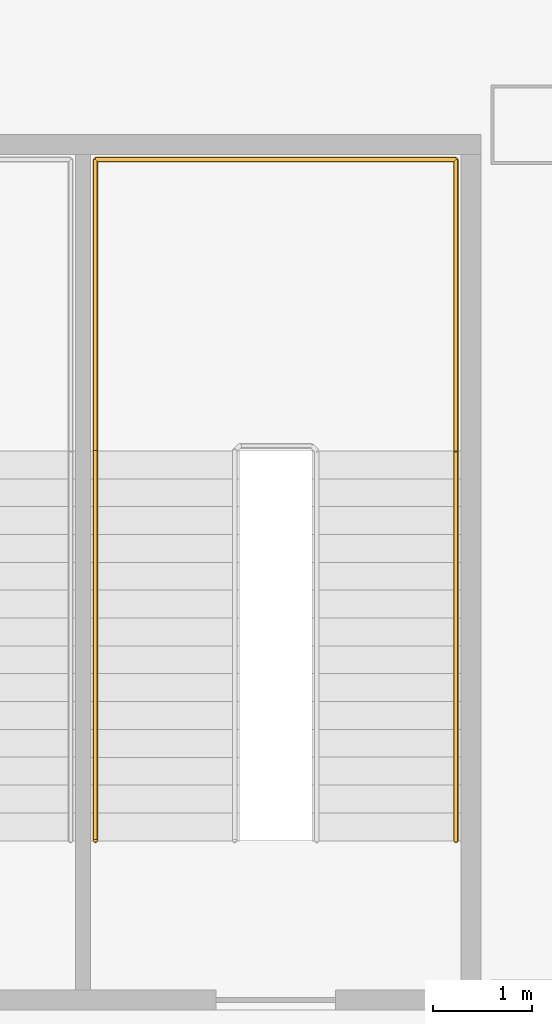
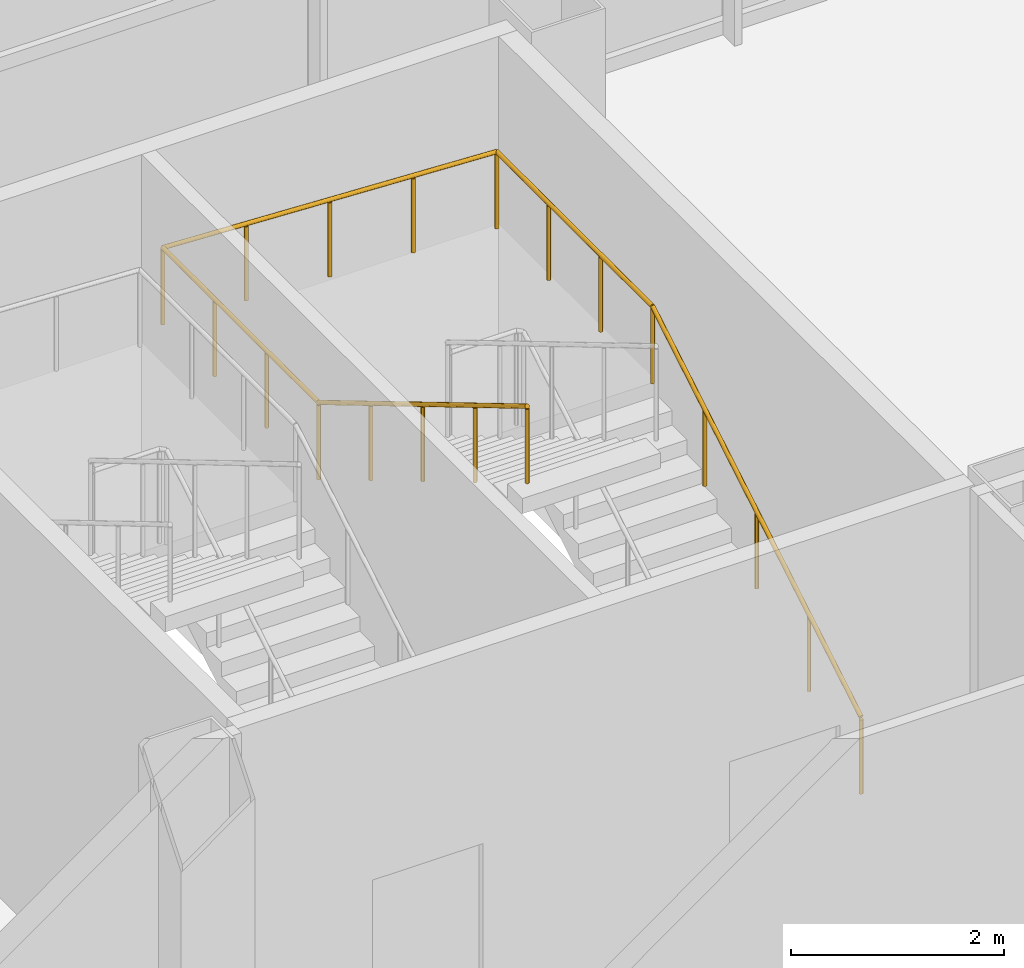
# One storey, part 30 of 30: 1 railing.
"""IFC4 building model written with IfcOpenShell, lengths in metres."""

from ifc_helpers import new_model, si_unit, direction, frame, origin, origin_2d, place, context, subcontext, project, spatial, circle, extrude, material, type_object, element, save


model = new_model("IFC4")

# Units and contexts
model_context = context("Model", 3, precision=1e-05, world=origin(), true_north=direction((0.0, 1.0)))
body_context = subcontext(model_context, "Body", "Model", "MODEL_VIEW")
ifc_project = project(units=[si_unit("LENGTHUNIT", "METRE"), si_unit("AREAUNIT", "SQUARE_METRE"), si_unit("VOLUMEUNIT", "CUBIC_METRE"), si_unit("PLANEANGLEUNIT", "RADIAN"), si_unit("MASSUNIT", "GRAM", prefix="KILO")], contexts=[model_context])

# Site, building, storey
site_placement = place(None, origin())
site = spatial("IfcSite", under=ifc_project, at=site_placement, CompositionType="ELEMENT")
building_placement = place(site_placement, origin())
building = spatial("IfcBuilding", under=site, at=building_placement, Name="Shamsa Quay Exchange Towers", CompositionType="ELEMENT")
storey_placement = place(building_placement, frame((0.0, 0.0, 23.5)))
storey = spatial("IfcBuildingStorey", under=building, at=storey_placement, Name="L04", CompositionType="ELEMENT", Elevation=23.5)

# Railing
ifc_material = material(Name="Stainless steel", Category="steel")
railing_type = type_object("IfcRailingType", Name="STAIR HANDRAIL 900", PredefinedType="HANDRAIL", material=ifc_material)
railing_placement = place(storey_placement, frame((53.25, 17.550048828125, 0.166748046875)))
element("IfcRailing", 1, at=railing_placement, inside=storey, type_object=railing_type, Name="L04 PS4B stair handrail 1", PredefinedType="HANDRAIL", context=body_context, shape_type="SweptSolid", body=[
    extrude(circle(Radius=0.02392578125, at=origin_2d()), frame((0.0, 0.0, 0.8759765625), z_axis=(0.0, 0.859296244711, 0.511478214419), x_axis=(-1.0, 0.0, 0.0)), (0.0, 0.0, 1.0), 4.561767578125),
    extrude(circle(Radius=0.02392578125, at=origin_2d()), frame((0.0, 3.919921875, 3.208984375), z_axis=(0.0, 1.0, 0.0), x_axis=(-1.0, 0.0, 0.0)), (0.0, 0.0, 1.0), 2.929931640625),
    extrude(circle(Radius=0.02392578125, at=origin_2d()), frame((0.0, 6.849853515625, 3.208984375), z_axis=(-0.998943700797, 0.0, 0.045950872013), x_axis=(0.0, -1.0, 0.0)), (0.0, 0.0, 1.0), 3.62890625),
    extrude(circle(Radius=0.02392578125, at=origin_2d()), frame((-3.625, 6.849853515625, 3.3759765625), z_axis=(0.0, -1.0, 0.0), x_axis=(1.0, 0.0, 0.0)), (0.0, 0.0, 1.0), 2.929931640625),
    extrude(circle(Radius=0.02392578125, at=origin_2d()), frame((-3.625, 3.919921875, 3.3759765625), z_axis=(0.0, -0.859296244711, 0.511478214419), x_axis=(1.0, 0.0, 0.0)), (0.0, 0.0, 1.0), 4.561767578125),
    extrude(circle(Radius=0.02099609375, at=origin_2d()), origin(), (0.0, 0.0, 1.0), 0.851806640625),
    extrude(circle(Radius=0.02099609375, at=origin_2d()), frame((0.0, 0.97998046875, 0.583251953125)), (0.0, 0.0, 1.0), 0.851806640625),
    extrude(circle(Radius=0.02099609375, at=origin_2d()), frame((0.0, 1.9599609375, 1.16650390625)), (0.0, 0.0, 1.0), 0.851806640625),
    extrude(circle(Radius=0.02099609375, at=origin_2d()), frame((0.0, 2.93994140625, 1.75)), (0.0, 0.0, 1.0), 0.851806640625),
    extrude(circle(Radius=0.02099609375, at=origin_2d()), frame((0.0, 3.919921875, 2.333251953125)), (0.0, 0.0, 1.0), 0.851806640625),
    extrude(circle(Radius=0.02099609375, at=origin_2d()), frame((0.0, 4.896484375, 2.333251953125)), (0.0, 0.0, 1.0), 0.851806640625),
    extrude(circle(Radius=0.02099609375, at=origin_2d()), frame((0.0, 5.873291015625, 2.333251953125)), (0.0, 0.0, 1.0), 0.851806640625),
    extrude(circle(Radius=0.02099609375, at=origin_2d()), frame((0.0, 6.849853515625, 2.333251953125)), (0.0, 0.0, 1.0), 0.851806640625),
    extrude(circle(Radius=0.02099609375, at=origin_2d()), frame((-0.90625, 6.849853515625, 2.375)), (0.0, 0.0, 1.0), 0.851806640625),
    extrude(circle(Radius=0.02099609375, at=origin_2d()), frame((-1.8125, 6.849853515625, 2.41650390625)), (0.0, 0.0, 1.0), 0.851806640625),
    extrude(circle(Radius=0.02099609375, at=origin_2d()), frame((-2.71875, 6.849853515625, 2.458251953125)), (0.0, 0.0, 1.0), 0.851806640625),
    extrude(circle(Radius=0.02099609375, at=origin_2d()), frame((-3.625, 6.849853515625, 2.5)), (0.0, 0.0, 1.0), 0.851806640625),
    extrude(circle(Radius=0.02099609375, at=origin_2d()), frame((-3.625, 5.873291015625, 2.5)), (0.0, 0.0, 1.0), 0.851806640625),
    extrude(circle(Radius=0.02099609375, at=origin_2d()), frame((-3.625, 4.896484375, 2.5)), (0.0, 0.0, 1.0), 0.851806640625),
    extrude(circle(Radius=0.02099609375, at=origin_2d()), frame((-3.625, 3.919921875, 2.5)), (0.0, 0.0, 1.0), 0.851806640625),
    extrude(circle(Radius=0.02099609375, at=origin_2d()), frame((-3.625, 2.93994140625, 3.083251953125)), (0.0, 0.0, 1.0), 0.851806640625),
    extrude(circle(Radius=0.02099609375, at=origin_2d()), frame((-3.625, 1.9599609375, 3.66650390625)), (0.0, 0.0, 1.0), 0.851806640625),
    extrude(circle(Radius=0.02099609375, at=origin_2d()), frame((-3.625, 0.97998046875, 4.25)), (0.0, 0.0, 1.0), 0.851806640625),
    extrude(circle(Radius=0.02099609375, at=origin_2d()), frame((-3.625, 0.0, 4.833251953125)), (0.0, 0.0, 1.0), 0.851806640625),
])

save(model, "model.ifc")
